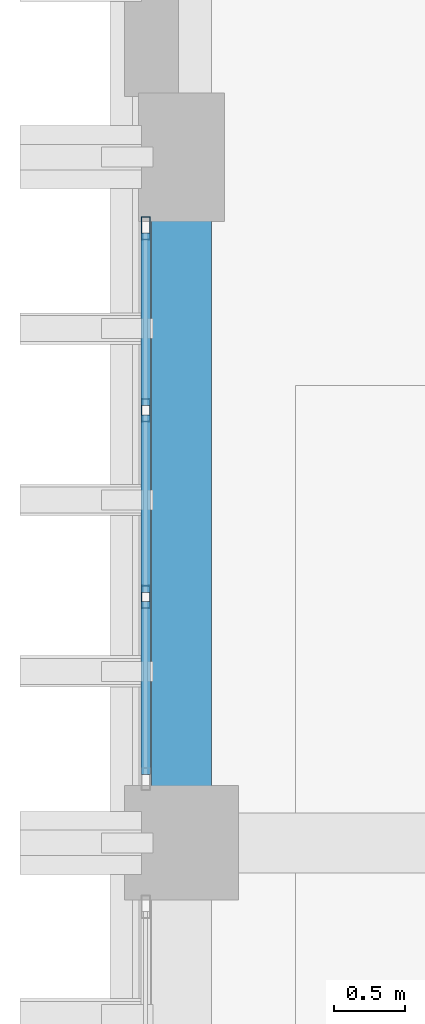
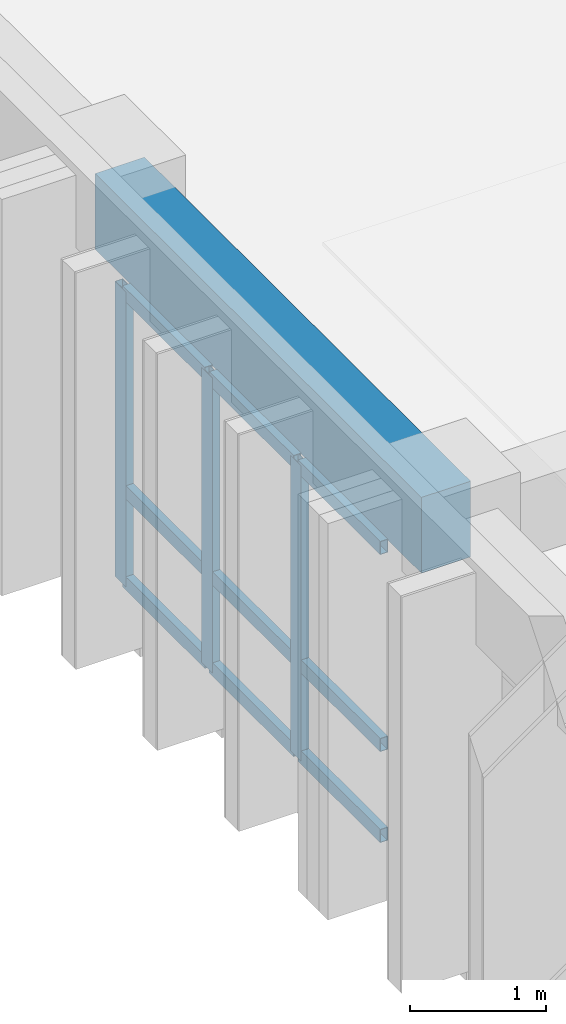
# One storey, part 29 of 82: 12 members, 1 beam, 1 element without a shape of its own.
"""IFC4 building model written with IfcOpenShell, lengths in metres."""

import ifcopenshell
import ifcopenshell.guid

model = None  # the IFC model being written
_history = None  # IfcOwnerHistory: only IFC2X3 demands one
_inside = {}  # id of a spatial element -> (the spatial element, [elements in it])
_under = {}  # id of a project, library or spatial element -> (it, [spatial elements below it])
_declared = {}  # id of a project -> (the project, [libraries it declares])
_typed = {}  # id of a type object -> (the type object, [elements of that type])
_made_of = {}  # id of a material, layer set ... -> (it, [elements and type objects made of it])


def new_model(schema):
    """Start an empty IFC model of exactly this schema.

    Asked for "IFC4X3", IfcOpenShell would pick the latest addendum, in which some entities
    have other attributes; the version numbers below select the first issue.
    IFC2X3 requires an IfcOwnerHistory on every rooted entity: one is made here for all.
    """
    global model, _history
    if schema == "IFC4X3":
        model = ifcopenshell.file(schema_version=(4, 3, 0, 0))
    else:
        model = ifcopenshell.file(schema=schema)
    _inside.clear()
    _under.clear()
    _declared.clear()
    _typed.clear()
    _made_of.clear()
    _history = None
    if model.schema == "IFC2X3":
        org = make("IfcOrganization", Name="unknown")
        user = make(
            "IfcPersonAndOrganization",
            ThePerson=make("IfcPerson", FamilyName="unknown"),
            TheOrganization=org,
        )
        app = make(
            "IfcApplication",
            ApplicationDeveloper=org,
            Version="unknown",
            ApplicationFullName="unknown",
            ApplicationIdentifier="unknown",
        )
        _history = make(
            "IfcOwnerHistory",
            OwningUser=user,
            OwningApplication=app,
            ChangeAction="ADDED",
            CreationDate=0,
        )
    return model


def make(cls, **values):
    """One entity of the class cls with the attributes given. An attribute that is None is left unset."""
    return model.create_entity(
        cls, **{name: value for name, value in values.items() if value is not None}
    )


def rooted(cls, **values):
    """An entity with a GlobalId (a new one), such as an element, a storey or a relation."""
    return make(cls, GlobalId=ifcopenshell.guid.new(), OwnerHistory=_history, **values)


def si_unit(unit_type, name, prefix=None):
    """IfcSIUnit, for example si_unit("LENGTHUNIT", "METRE", prefix="MILLI")."""
    return make("IfcSIUnit", UnitType=unit_type, Prefix=prefix, Name=name)


def assignment(units):
    """IfcUnitAssignment: the units of a project."""
    return None if units is None else make("IfcUnitAssignment", Units=units)


def point(xyz):
    """IfcCartesianPoint."""
    return None if xyz is None else make("IfcCartesianPoint", Coordinates=xyz)


def direction(xyz):
    """IfcDirection."""
    return None if xyz is None else make("IfcDirection", DirectionRatios=xyz)


def frame(location, z_axis=None, x_axis=None):
    """IfcAxis2Placement3D, a coordinate frame: its origin and axes. An axis left out is left unset."""
    return make(
        "IfcAxis2Placement3D",
        Location=point(location),
        Axis=direction(z_axis),
        RefDirection=direction(x_axis),
    )


def frame_2d(location, x_axis=None):
    """IfcAxis2Placement2D, a coordinate frame in the plane: its origin and x axis."""
    return make(
        "IfcAxis2Placement2D", Location=point(location), RefDirection=direction(x_axis)
    )


def origin():
    """The frame at (0, 0, 0) with its axes left unset."""
    return frame((0.0, 0.0, 0.0))


def origin_2d():
    """The frame at (0, 0) in the plane with its x axis left unset."""
    return frame_2d((0.0, 0.0))


def place(relative_to, where):
    """IfcLocalPlacement: puts the frame where relative to a parent placement (None: the world)."""
    return make(
        "IfcLocalPlacement", PlacementRelTo=relative_to, RelativePlacement=where
    )


def context(
    kind, dimensions, precision=None, world=None, true_north=None, identifier=None
):
    """IfcGeometricRepresentationContext, for example the 3D "Model" context."""
    return make(
        "IfcGeometricRepresentationContext",
        ContextIdentifier=identifier,
        ContextType=kind,
        CoordinateSpaceDimension=dimensions,
        Precision=precision,
        WorldCoordinateSystem=world,
        TrueNorth=true_north,
    )


def subcontext(parent, identifier, kind, view, scale=None):
    """IfcGeometricRepresentationSubContext, for example "Body" below "Model"."""
    return make(
        "IfcGeometricRepresentationSubContext",
        ContextIdentifier=identifier,
        ContextType=kind,
        ParentContext=parent,
        TargetScale=scale,
        TargetView=view,
    )


def project(units=None, contexts=None):
    """IfcProject with its units and contexts."""
    return rooted(
        "IfcProject",
        Name="project",
        RepresentationContexts=contexts,
        UnitsInContext=assignment(units),
    )


def spatial(cls, under=None, at=None, **own):
    """A site, building, storey or space (cls), placed at a placement, below another one or the project."""
    s = rooted(cls, ObjectPlacement=at, **own)
    if under is not None:
        _under.setdefault(under.id(), (under, []))[1].append(s)
    return s


def profile(cls, at=None, kind="AREA", **sizes):
    """A parametric profile (cls). Its sizes go by their IFC names, for example OverallWidth=200.0."""
    return make(cls, ProfileType=kind, Position=at, **sizes)


def rectangle(**sizes):
    """IfcRectangleProfileDef."""
    return profile("IfcRectangleProfileDef", **sizes)


def hollow_rectangle(**sizes):
    """IfcRectangleHollowProfileDef."""
    return profile("IfcRectangleHollowProfileDef", **sizes)


def extrude(swept, where, along, depth):
    """IfcExtrudedAreaSolid: the profile swept, set in the frame where, extruded along a direction by depth."""
    return make(
        "IfcExtrudedAreaSolid",
        SweptArea=swept,
        Position=where,
        ExtrudedDirection=direction(along),
        Depth=depth,
    )


def shape(context_of_items, identifier, shape_type, items):
    """IfcShapeRepresentation: the items that make up one representation, for example the "Body"."""
    return make(
        "IfcShapeRepresentation",
        ContextOfItems=context_of_items,
        RepresentationIdentifier=identifier,
        RepresentationType=shape_type,
        Items=items,
    )


def material(Name=None, Category=None):
    """IfcMaterial."""
    return make("IfcMaterial", Name=Name, Category=Category)


def layer(
    of_material, thickness, ventilated=None, Name=None, Category=None, Priority=None
):
    """IfcMaterialLayer: one layer of a wall or slab, of a material (None: an air gap)."""
    return make(
        "IfcMaterialLayer",
        Material=of_material,
        LayerThickness=thickness,
        IsVentilated=ventilated,
        Name=Name,
        Category=Category,
        Priority=Priority,
    )


def layer_set(layers, Name=None):
    """IfcMaterialLayerSet."""
    return make("IfcMaterialLayerSet", MaterialLayers=layers, LayerSetName=Name)


def material_profile(
    of_material, cross_section, Name=None, Category=None, Priority=None
):
    """IfcMaterialProfile: a cross section and its material."""
    return make(
        "IfcMaterialProfile",
        Name=Name,
        Material=of_material,
        Profile=cross_section,
        Priority=Priority,
        Category=Category,
    )


def profile_set(profiles, Name=None, composite=None):
    """IfcMaterialProfileSet."""
    return make(
        "IfcMaterialProfileSet",
        Name=Name,
        MaterialProfiles=profiles,
        CompositeProfile=composite,
    )


def made_of(thing, what):
    """Note that an element or type object is made of a material, layer set ...; save() writes the relation."""
    if what is not None:
        _made_of.setdefault(what.id(), (what, []))[1].append(thing)
    return thing


def type_object(cls, material=None, **own):
    """A type object (cls), such as IfcWallType, which elements share."""
    return made_of(rooted(cls, **own), material)


def element(
    cls,
    number,
    at=None,
    inside=None,
    cuts=None,
    type_object=None,
    material=None,
    context=None,
    identifier="Body",
    shape_type=None,
    held_by="IfcProductDefinitionShape",
    body=None,
    shapes=None,
    **own,
):
    """One element of the class cls, such as IfcWall. Its Tag is "e" and its number.

    at: its placement. inside: the storey or other place that contains it. cuts: it is an
    opening in that element (IfcRelVoidsElement). A single representation is given by context,
    identifier, shape_type and body (its items); several are given by shapes. held_by: the class
    of the entity that holds the representations. save() writes the other relations.
    """
    e = rooted(cls, Tag="e%d" % number, ObjectPlacement=at, **own)
    if body is not None:
        shapes = [shape(context, identifier, shape_type, body)]
    if shapes is not None:
        e.Representation = make(held_by, Representations=shapes)
    if inside is not None:
        _inside.setdefault(inside.id(), (inside, []))[1].append(e)
    if cuts is not None:
        rooted(
            "IfcRelVoidsElement", RelatingBuildingElement=cuts, RelatedOpeningElement=e
        )
    if type_object is not None:
        _typed.setdefault(type_object.id(), (type_object, []))[1].append(e)
    return made_of(e, material)


def aggregate(whole, parts):
    """IfcRelAggregates: a whole, such as a stair, and the parts it consists of."""
    return rooted("IfcRelAggregates", RelatingObject=whole, RelatedObjects=parts)


def save(model, path):
    """Write the relations noted so far, then the file.

    IfcRelAggregates (storeys below a building ...), IfcRelContainedInSpatialStructure (elements
    in a storey), IfcRelDefinesByType, IfcRelAssociatesMaterial and IfcRelDeclares: one each for
    every whole, place, type object, material and project.
    """
    for whole, parts in _under.values():
        aggregate(whole, parts)
    for where, things in _inside.values():
        rooted(
            "IfcRelContainedInSpatialStructure",
            RelatedElements=things,
            RelatingStructure=where,
        )
    for kind, things in _typed.values():
        rooted("IfcRelDefinesByType", RelatedObjects=things, RelatingType=kind)
    for what, things in _made_of.values():
        rooted("IfcRelAssociatesMaterial", RelatedObjects=things, RelatingMaterial=what)
    for by, libraries in _declared.values():
        rooted("IfcRelDeclares", RelatingContext=by, RelatedDefinitions=libraries)
    model.write(path)


model = new_model("IFC4")

# Units and contexts
model_context = context("Model", 3, precision=1e-05, world=origin(), true_north=direction((0.0, 1.0)))
body_context = subcontext(model_context, "Body", "Model", "MODEL_VIEW")
ifc_project = project(units=[si_unit("LENGTHUNIT", "METRE"), si_unit("AREAUNIT", "SQUARE_METRE"), si_unit("VOLUMEUNIT", "CUBIC_METRE"), si_unit("PLANEANGLEUNIT", "RADIAN"), si_unit("MASSUNIT", "GRAM", prefix="KILO")], contexts=[model_context])

# Site, building, storey
site_placement = place(None, origin())
site = spatial("IfcSite", under=ifc_project, at=site_placement, CompositionType="ELEMENT")
building_placement = place(site_placement, origin())
building = spatial("IfcBuilding", under=site, at=building_placement, Name="Nakhvara Creek Congress Hotel", CompositionType="ELEMENT")
storey_placement = place(building_placement, frame((0.0, 0.0, 21.0)))
storey = spatial("IfcBuildingStorey", under=building, at=storey_placement, Name="L04", CompositionType="ELEMENT", Elevation=21.0)

# Beam
ifc_material_1 = material(Name="Concrete C40/50", Category="concrete")
ifc_material_profile_1 = material_profile(ifc_material_1, rectangle(XDim=0.419921875, YDim=0.679931640625, at=origin_2d()), Name="RC-BM 420x680", Category="LoadBearing")
ifc_profile_set_1 = profile_set([ifc_material_profile_1], Name="Concrete C40/50")
beam_type = type_object("IfcBeamType", Name="BM-RC-420X680", PredefinedType="BEAM", material=ifc_profile_set_1)
beam_placement = place(storey_placement, frame((149.449951171875, 76.800048828125, 3.0), z_axis=(0.0, 1.0, 0.0), x_axis=(-1.0, 0.0, 0.0)))
element("IfcBeam", 1, at=beam_placement, inside=storey, type_object=beam_type, Name="Beam B11-L04-1928", PredefinedType="BEAM", context=body_context, shape_type="SweptSolid", body=[
    extrude(rectangle(XDim=0.419921875, YDim=0.679931640625, at=origin_2d()), origin(), (0.0, 0.0, 1.0), 4.800048828125),
])

# Curtain wall, members
ifc_material_2 = material(Name="Bronze-anodised aluminium AW-6063-T6 and double-silver low-E glass", Category="aluminium")
ifc_layer = layer(ifc_material_2, 0.199951171875)
ifc_layer_set = layer_set([ifc_layer], Name="Bronze-anodised aluminium AW-6063-T6 and double-silver low-E glass")
curtain_wall_type = type_object("IfcCurtainWallType", Name="CW-HTL-UNIT", PredefinedType="USERDEFINED", material=ifc_layer_set)
curtain_wall_placement = place(storey_placement, origin())
curtain_wall = element("IfcCurtainWall", 2, at=curtain_wall_placement, inside=storey, type_object=curtain_wall_type, Name="Curtain Wall CW189", ObjectType="UNITISED", PredefinedType="USERDEFINED")
ifc_material_3 = material(Name="Bronze-anodised aluminium AW-6063-T6", Category="aluminium")
ifc_material_profile_2 = material_profile(ifc_material_3, hollow_rectangle(XDim=0.06494140625, YDim=0.159912109375, WallThickness=0.00390625, at=origin_2d()), Name="ALU-MULL 65x160x4", Category="LoadBearing")
ifc_profile_set_2 = profile_set([ifc_material_profile_2], Name="Bronze-anodised aluminium AW-6063-T6")
member_type_1 = type_object("IfcMemberType", Name="CW-MULL-160", PredefinedType="MULLION", material=ifc_profile_set_2)
member_1_placement = place(storey_placement, frame((149.199951171875, 78.521728515625, 0.0), z_axis=(0.0, 0.0, 1.0), x_axis=(-1.0, 0.0, 0.0)))
member_1 = element("IfcMember", 3, at=member_1_placement, type_object=member_type_1, Name="CW189 mullion 2", PredefinedType="MULLION", context=body_context, shape_type="SweptSolid", body=[
    extrude(hollow_rectangle(XDim=0.06494140625, YDim=0.159912109375, WallThickness=0.00390625, at=origin_2d()), origin(), (0.0, 0.0, 1.0), 2.652099609375),
])
member_2_placement = place(storey_placement, frame((149.199951171875, 79.828369140625, 0.0), z_axis=(0.0, 0.0, 1.0), x_axis=(-1.0, 0.0, 0.0)))
member_2 = element("IfcMember", 4, at=member_2_placement, type_object=member_type_1, Name="CW189 mullion 3", PredefinedType="MULLION", context=body_context, shape_type="SweptSolid", body=[
    extrude(hollow_rectangle(XDim=0.06494140625, YDim=0.159912109375, WallThickness=0.00390625, at=origin_2d()), origin(), (0.0, 0.0, 1.0), 2.652099609375),
])
member_3_placement = place(storey_placement, frame((149.199951171875, 81.1025390625, 0.0), z_axis=(0.0, 0.0, 1.0), x_axis=(-1.0, 0.0, 0.0)))
member_3 = element("IfcMember", 5, at=member_3_placement, type_object=member_type_1, Name="CW189 mullion 4", PredefinedType="MULLION", context=body_context, shape_type="SweptSolid", body=[
    extrude(hollow_rectangle(XDim=0.06494140625, YDim=0.159912109375, WallThickness=0.00390625, at=origin_2d()), origin(), (0.0, 0.0, 1.0), 2.652099609375),
])
ifc_material_profile_3 = material_profile(ifc_material_3, hollow_rectangle(XDim=0.06494140625, YDim=0.1201171875, WallThickness=0.00390625, at=origin_2d()), Name="ALU-TRAN 65x120x4", Category="LoadBearing")
ifc_profile_set_3 = profile_set([ifc_material_profile_3], Name="Bronze-anodised aluminium AW-6063-T6")
member_type_2 = type_object("IfcMemberType", Name="CW-TRAN-120", PredefinedType="USERDEFINED", material=ifc_profile_set_3)
member_4_placement = place(storey_placement, frame((149.199951171875, 77.280029296875, 0.032470703125), z_axis=(0.0, 1.0, 0.0), x_axis=(-1.0, 0.0, 0.0)))
member_4 = element("IfcMember", 6, at=member_4_placement, type_object=member_type_2, Name="CW189 transom 1.1", ObjectType="TRANSOM", PredefinedType="USERDEFINED", context=body_context, shape_type="SweptSolid", body=[
    extrude(hollow_rectangle(XDim=0.06494140625, YDim=0.1201171875, WallThickness=0.00390625, at=origin_2d()), origin(), (0.0, 0.0, 1.0), 1.209228515625),
])
member_5_placement = place(storey_placement, frame((149.199951171875, 77.280029296875, 0.85009765625), z_axis=(0.0, 1.0, 0.0), x_axis=(-1.0, 0.0, 0.0)))
member_5 = element("IfcMember", 7, at=member_5_placement, type_object=member_type_2, Name="CW189 transom 1.2", ObjectType="TRANSOM", PredefinedType="USERDEFINED", context=body_context, shape_type="SweptSolid", body=[
    extrude(hollow_rectangle(XDim=0.06494140625, YDim=0.1201171875, WallThickness=0.00390625, at=origin_2d()), origin(), (0.0, 0.0, 1.0), 1.209228515625),
])
member_6_placement = place(storey_placement, frame((149.199951171875, 77.280029296875, 2.619384765625), z_axis=(0.0, 1.0, 0.0), x_axis=(-1.0, 0.0, 0.0)))
member_6 = element("IfcMember", 8, at=member_6_placement, type_object=member_type_2, Name="CW189 transom 1.3", ObjectType="TRANSOM", PredefinedType="USERDEFINED", context=body_context, shape_type="SweptSolid", body=[
    extrude(hollow_rectangle(XDim=0.06494140625, YDim=0.1201171875, WallThickness=0.00390625, at=origin_2d()), origin(), (0.0, 0.0, 1.0), 1.209228515625),
])
member_7_placement = place(storey_placement, frame((149.199951171875, 78.55419921875, 0.032470703125), z_axis=(0.0, 1.0, 0.0), x_axis=(-1.0, 0.0, 0.0)))
member_7 = element("IfcMember", 9, at=member_7_placement, type_object=member_type_2, Name="CW189 transom 2.1", ObjectType="TRANSOM", PredefinedType="USERDEFINED", context=body_context, shape_type="SweptSolid", body=[
    extrude(hollow_rectangle(XDim=0.06494140625, YDim=0.1201171875, WallThickness=0.00390625, at=origin_2d()), origin(), (0.0, 0.0, 1.0), 1.24169921875),
])
member_8_placement = place(storey_placement, frame((149.199951171875, 78.55419921875, 0.85009765625), z_axis=(0.0, 1.0, 0.0), x_axis=(-1.0, 0.0, 0.0)))
member_8 = element("IfcMember", 10, at=member_8_placement, type_object=member_type_2, Name="CW189 transom 2.2", ObjectType="TRANSOM", PredefinedType="USERDEFINED", context=body_context, shape_type="SweptSolid", body=[
    extrude(hollow_rectangle(XDim=0.06494140625, YDim=0.1201171875, WallThickness=0.00390625, at=origin_2d()), origin(), (0.0, 0.0, 1.0), 1.24169921875),
])
member_9_placement = place(storey_placement, frame((149.199951171875, 78.55419921875, 2.619384765625), z_axis=(0.0, 1.0, 0.0), x_axis=(-1.0, 0.0, 0.0)))
member_9 = element("IfcMember", 11, at=member_9_placement, type_object=member_type_2, Name="CW189 transom 2.3", ObjectType="TRANSOM", PredefinedType="USERDEFINED", context=body_context, shape_type="SweptSolid", body=[
    extrude(hollow_rectangle(XDim=0.06494140625, YDim=0.1201171875, WallThickness=0.00390625, at=origin_2d()), origin(), (0.0, 0.0, 1.0), 1.24169921875),
])
member_10_placement = place(storey_placement, frame((149.199951171875, 79.86083984375, 0.032470703125), z_axis=(0.0, 1.0, 0.0), x_axis=(-1.0, 0.0, 0.0)))
member_10 = element("IfcMember", 12, at=member_10_placement, type_object=member_type_2, Name="CW189 transom 3.1", ObjectType="TRANSOM", PredefinedType="USERDEFINED", context=body_context, shape_type="SweptSolid", body=[
    extrude(hollow_rectangle(XDim=0.06494140625, YDim=0.1201171875, WallThickness=0.00390625, at=origin_2d()), origin(), (0.0, 0.0, 1.0), 1.209228515625),
])
member_11_placement = place(storey_placement, frame((149.199951171875, 79.86083984375, 0.85009765625), z_axis=(0.0, 1.0, 0.0), x_axis=(-1.0, 0.0, 0.0)))
member_11 = element("IfcMember", 13, at=member_11_placement, type_object=member_type_2, Name="CW189 transom 3.2", ObjectType="TRANSOM", PredefinedType="USERDEFINED", context=body_context, shape_type="SweptSolid", body=[
    extrude(hollow_rectangle(XDim=0.06494140625, YDim=0.1201171875, WallThickness=0.00390625, at=origin_2d()), origin(), (0.0, 0.0, 1.0), 1.209228515625),
])
member_12_placement = place(storey_placement, frame((149.199951171875, 79.86083984375, 2.619384765625), z_axis=(0.0, 1.0, 0.0), x_axis=(-1.0, 0.0, 0.0)))
member_12 = element("IfcMember", 14, at=member_12_placement, type_object=member_type_2, Name="CW189 transom 3.3", ObjectType="TRANSOM", PredefinedType="USERDEFINED", context=body_context, shape_type="SweptSolid", body=[
    extrude(hollow_rectangle(XDim=0.06494140625, YDim=0.1201171875, WallThickness=0.00390625, at=origin_2d()), origin(), (0.0, 0.0, 1.0), 1.209228515625),
])
aggregate(curtain_wall, [member_1, member_2, member_3, member_4, member_5, member_6, member_7, member_8, member_9, member_10, member_11, member_12])

save(model, "model.ifc")
